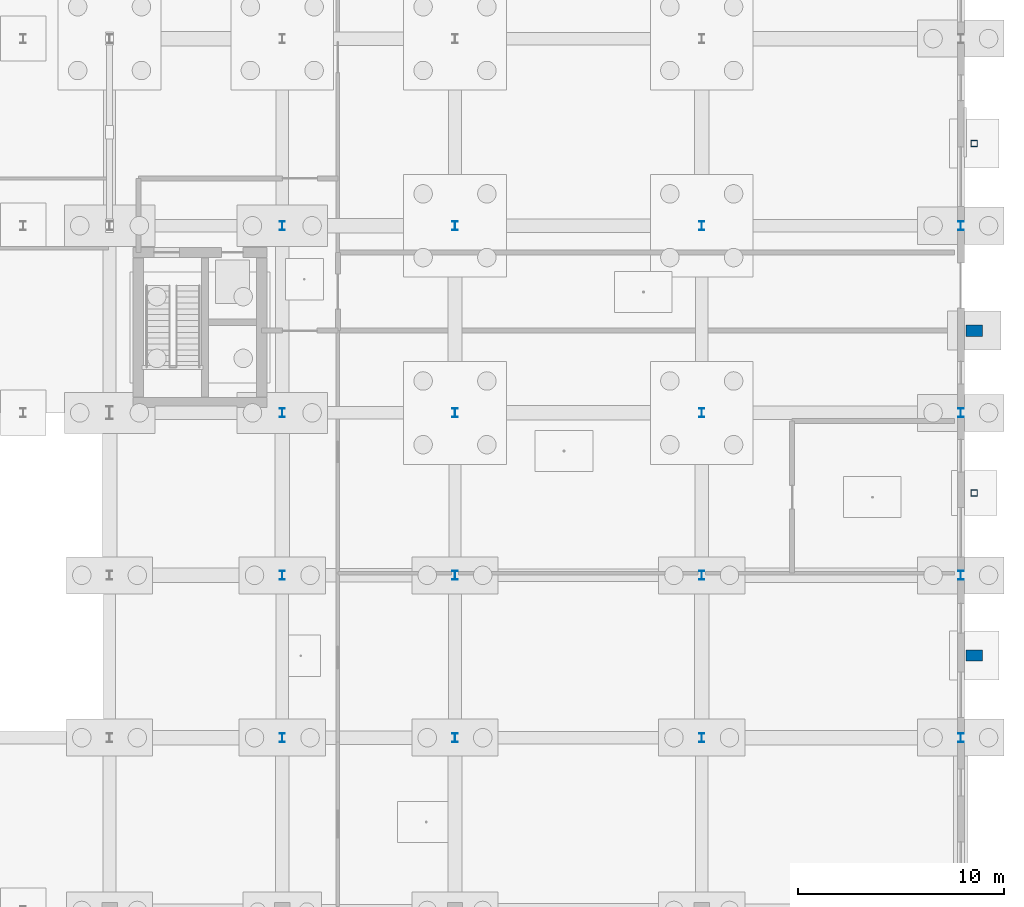
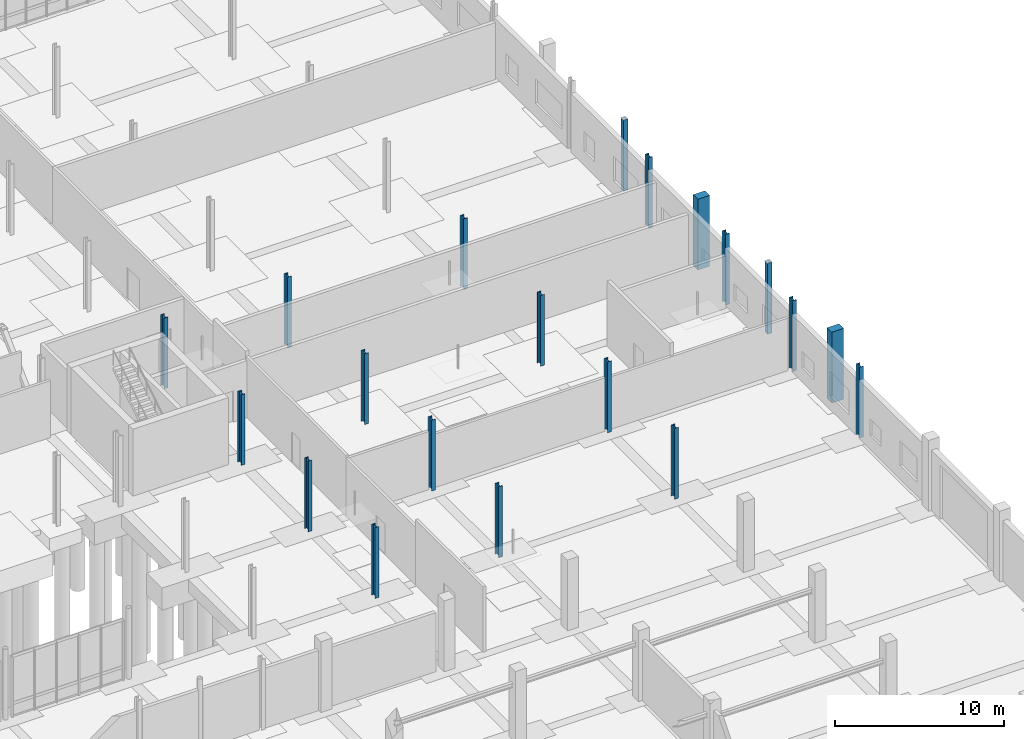
# One storey, part 26 of 119: 20 columns.
"""IFC4 building model written with IfcOpenShell, lengths in metres."""

from ifc_helpers import new_model, si_unit, derived_unit, direction, frame, origin, origin_2d, place, context, subcontext, project, spatial, rectangle, hollow_rectangle, i_section, extrude, material, material_profile, profile_set, type_object, element, save


model = new_model("IFC4")

# Units and contexts
model_context = context("Model", 3, precision=1e-05, world=origin(), true_north=direction((0.0, 1.0)))
body_context = subcontext(model_context, "Body", "Model", "MODEL_VIEW")
ifc_project = project(units=[si_unit("LENGTHUNIT", "METRE"), si_unit("AREAUNIT", "SQUARE_METRE"), si_unit("VOLUMEUNIT", "CUBIC_METRE"), si_unit("PLANEANGLEUNIT", "RADIAN"), si_unit("MASSUNIT", "GRAM", prefix="KILO"), derived_unit("THERMALTRANSMITTANCEUNIT", [(si_unit("MASSUNIT", "GRAM", prefix="KILO"), 1), (si_unit("TIMEUNIT", "SECOND"), -3), (si_unit("THERMODYNAMICTEMPERATUREUNIT", "KELVIN"), -1)])], contexts=[model_context])

# Site, building, storey
site_placement = place(None, origin())
site = spatial("IfcSite", under=ifc_project, at=site_placement, CompositionType="ELEMENT")
building_placement = place(site_placement, origin())
building = spatial("IfcBuilding", under=site, at=building_placement, Name="Makaiwela Harbour Ferry Terminal", CompositionType="ELEMENT")
storey_placement = place(building_placement, origin())
storey = spatial("IfcBuildingStorey", under=building, at=storey_placement, Name="L00", CompositionType="ELEMENT", Elevation=0.0)

# Columns
ifc_material_1 = material(Name="Steel ASTM A992 Grade 50", Category="steel")
ifc_material_profile_1 = material_profile(ifc_material_1, i_section(OverallWidth=0.264892578125, OverallDepth=0.430908203125, WebThickness=0.014892578125, FlangeThickness=0.02490234375, at=origin_2d()), Name="W16X100")
ifc_profile_set_1 = profile_set([ifc_material_profile_1], Name="Steel ASTM A992 Grade 50")
column_type_1 = type_object("IfcColumnType", Name="STR-COL-W16X100", PredefinedType="COLUMN", material=ifc_profile_set_1)
for number, where, z_axis, x_axis, name in (
    (1, (147.0, 33.60009765625, 0.0), (0.0, 0.0, 1.0), (1.0, 0.0, 0.0), "Structural Column C-03"),
    (2, (147.0, 41.5, 0.0), (0.0, 0.0, 1.0), (1.0, 0.0, 0.0), "Structural Column C-03"),
    (3, (147.0, 49.39990234375, 0.0), (0.0, 0.0, 1.0), (1.0, 0.0, 0.0), "Structural Column C-03"),
    (4, (147.0, 58.5, 0.0), (0.0, 0.0, 1.0), (1.0, 0.0, 0.0), "Structural Column C-03"),
    (5, (155.39990234375, 33.60009765625, 0.0), (0.0, 0.0, 1.0), (1.0, 0.0, 0.0), "Structural Column C-03"),
    (6, (155.39990234375, 41.5, 0.0), (0.0, 0.0, 1.0), (1.0, 0.0, 0.0), "Structural Column C-03"),
    (7, (155.39990234375, 49.39990234375, 0.0), (0.0, 0.0, 1.0), (1.0, 0.0, 0.0), "Structural Column C-03"),
    (8, (155.39990234375, 58.5, 0.0), (0.0, 0.0, 1.0), (1.0, 0.0, 0.0), "Structural Column C-03"),
    (9, (167.39990234375, 33.60009765625, 0.0), (0.0, 0.0, 1.0), (1.0, 0.0, 0.0), "Structural Column C-03"),
    (10, (167.39990234375, 41.5, 0.0), (0.0, 0.0, 1.0), (1.0, 0.0, 0.0), "Structural Column C-03"),
    (11, (167.39990234375, 49.39990234375, 0.0), (0.0, 0.0, 1.0), (1.0, 0.0, 0.0), "Structural Column C-03"),
    (12, (167.39990234375, 58.5, 0.0), (0.0, 0.0, 1.0), (1.0, 0.0, 0.0), "Structural Column C-03"),
    (13, (180.0, 33.60009765625, 0.0), (0.0, 0.0, 1.0), (1.0, 0.0, 0.0), "Structural Column C-03"),
    (14, (180.0, 41.5, 0.0), (0.0, 0.0, 1.0), (1.0, 0.0, 0.0), "Structural Column C-03"),
    (15, (180.0, 49.39990234375, 0.0), (0.0, 0.0, 1.0), (1.0, 0.0, 0.0), "Structural Column C-03"),
    (16, (180.0, 58.5, 0.0), (0.0, 0.0, 1.0), (1.0, 0.0, 0.0), "Structural Column C-03"),
):
    element("IfcColumn", number, at=place(storey_placement, frame(where, z_axis=z_axis, x_axis=x_axis)), inside=storey, type_object=column_type_1, Name=name, PredefinedType="COLUMN", context=body_context, shape_type="SweptSolid", body=[
        extrude(i_section(OverallWidth=0.264892578125, OverallDepth=0.430908203125, WebThickness=0.014892578125, FlangeThickness=0.02490234375, at=origin_2d()), origin(), (0.0, 0.0, 1.0), 5.10009765625),
    ])
ifc_material_2 = material(Name="Steel ASTM A500 Grade C", Category="steel")
ifc_material_profile_2 = material_profile(ifc_material_2, hollow_rectangle(XDim=0.304931640625, YDim=0.304931640625, WallThickness=0.0146484375, at=origin_2d()), Name="HSS12X12X5/8")
ifc_profile_set_2 = profile_set([ifc_material_profile_2], Name="Steel ASTM A500 Grade C")
column_type_2 = type_object("IfcColumnType", Name="STR-PIL-HSS12", PredefinedType="PILASTER", material=ifc_profile_set_2)
for number, where, z_axis, x_axis, name in (
    (17, (180.64990234375, 45.5, 0.0), (0.0, 0.0, 1.0), (0.0, 1.0, 0.0), "Structural Column PL-02"),
    (18, (180.64990234375, 62.5, 0.0), (0.0, 0.0, 1.0), (0.0, 1.0, 0.0), "Structural Column PL-02"),
):
    element("IfcColumn", number, at=place(storey_placement, frame(where, z_axis=z_axis, x_axis=x_axis)), inside=storey, type_object=column_type_2, Name=name, PredefinedType="PILASTER", context=body_context, shape_type="SweptSolid", body=[
        extrude(hollow_rectangle(XDim=0.304931640625, YDim=0.304931640625, WallThickness=0.0146484375, at=origin_2d()), origin(), (0.0, 0.0, 1.0), 5.10009765625),
    ])
ifc_material_3 = material(Name="Concrete f'c 45 MPa (6500 psi)", Category="concrete")
ifc_material_profile_3 = material_profile(ifc_material_3, rectangle(XDim=0.550048828125, YDim=0.800048828125, at=origin_2d()), Name="RC-800X550")
ifc_profile_set_3 = profile_set([ifc_material_profile_3], Name="Concrete f'c 45 MPa (6500 psi)")
column_type_3 = type_object("IfcColumnType", Name="STR-PIL-RC800", PredefinedType="PILASTER", material=ifc_profile_set_3)
for number, where, z_axis, x_axis, name in (
    (19, (180.64990234375, 37.60009765625, 0.0), (0.0, 0.0, 1.0), (0.0, 1.0, 0.0), "Structural Column PL-01"),
    (20, (180.64990234375, 53.39990234375, 0.0), (0.0, 0.0, 1.0), (0.0, 1.0, 0.0), "Structural Column PL-01"),
):
    element("IfcColumn", number, at=place(storey_placement, frame(where, z_axis=z_axis, x_axis=x_axis)), inside=storey, type_object=column_type_3, Name=name, PredefinedType="PILASTER", context=body_context, shape_type="SweptSolid", body=[
        extrude(rectangle(XDim=0.550048828125, YDim=0.800048828125, at=origin_2d()), origin(), (0.0, 0.0, 1.0), 5.10009765625),
    ])

save(model, "model.ifc")
